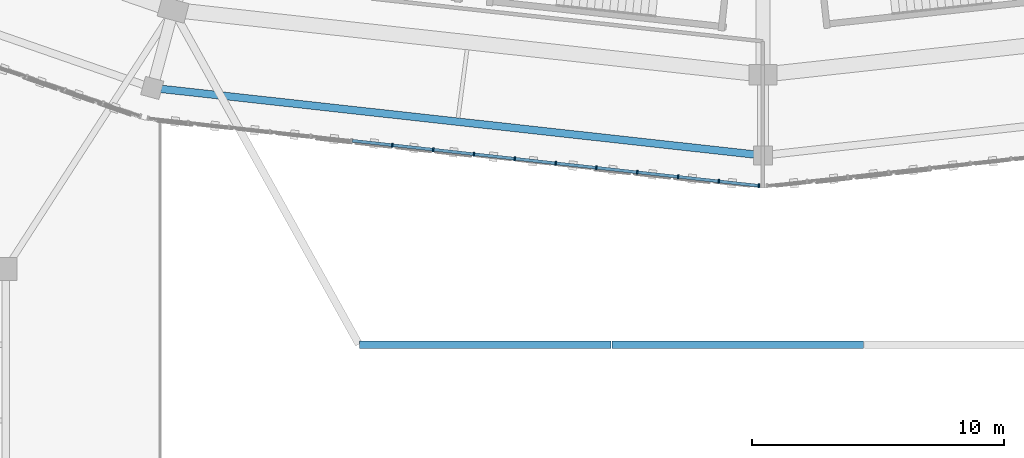
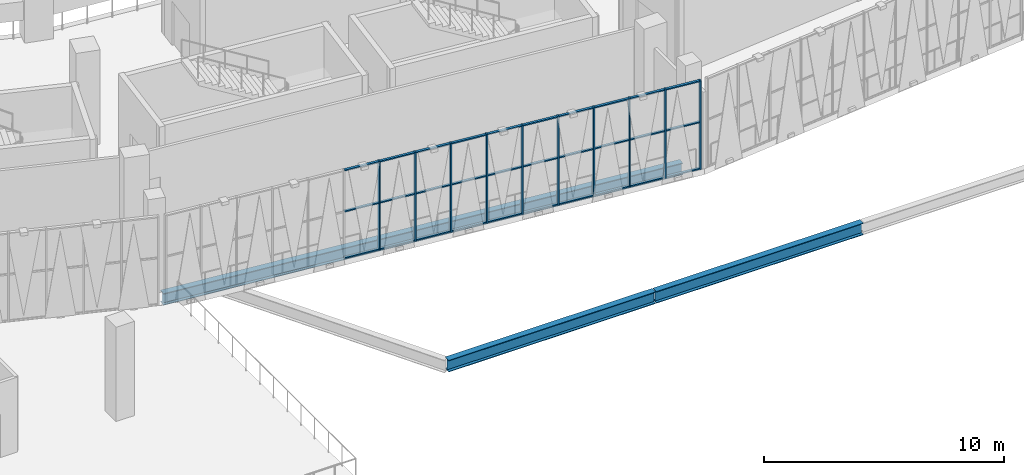
# One storey, part 16 of 183: 40 members, 3 beams, 1 element without a shape of its own.
"""IFC4 building model written with IfcOpenShell, lengths in metres."""

import ifcopenshell
import ifcopenshell.guid

model = None  # the IFC model being written
_history = None  # IfcOwnerHistory: only IFC2X3 demands one
_inside = {}  # id of a spatial element -> (the spatial element, [elements in it])
_under = {}  # id of a project, library or spatial element -> (it, [spatial elements below it])
_declared = {}  # id of a project -> (the project, [libraries it declares])
_typed = {}  # id of a type object -> (the type object, [elements of that type])
_made_of = {}  # id of a material, layer set ... -> (it, [elements and type objects made of it])


def new_model(schema):
    """Start an empty IFC model of exactly this schema.

    Asked for "IFC4X3", IfcOpenShell would pick the latest addendum, in which some entities
    have other attributes; the version numbers below select the first issue.
    IFC2X3 requires an IfcOwnerHistory on every rooted entity: one is made here for all.
    """
    global model, _history
    if schema == "IFC4X3":
        model = ifcopenshell.file(schema_version=(4, 3, 0, 0))
    else:
        model = ifcopenshell.file(schema=schema)
    _inside.clear()
    _under.clear()
    _declared.clear()
    _typed.clear()
    _made_of.clear()
    _history = None
    if model.schema == "IFC2X3":
        org = make("IfcOrganization", Name="unknown")
        user = make(
            "IfcPersonAndOrganization",
            ThePerson=make("IfcPerson", FamilyName="unknown"),
            TheOrganization=org,
        )
        app = make(
            "IfcApplication",
            ApplicationDeveloper=org,
            Version="unknown",
            ApplicationFullName="unknown",
            ApplicationIdentifier="unknown",
        )
        _history = make(
            "IfcOwnerHistory",
            OwningUser=user,
            OwningApplication=app,
            ChangeAction="ADDED",
            CreationDate=0,
        )
    return model


def make(cls, **values):
    """One entity of the class cls with the attributes given. An attribute that is None is left unset."""
    return model.create_entity(
        cls, **{name: value for name, value in values.items() if value is not None}
    )


def rooted(cls, **values):
    """An entity with a GlobalId (a new one), such as an element, a storey or a relation."""
    return make(cls, GlobalId=ifcopenshell.guid.new(), OwnerHistory=_history, **values)


def si_unit(unit_type, name, prefix=None):
    """IfcSIUnit, for example si_unit("LENGTHUNIT", "METRE", prefix="MILLI")."""
    return make("IfcSIUnit", UnitType=unit_type, Prefix=prefix, Name=name)


def assignment(units):
    """IfcUnitAssignment: the units of a project."""
    return None if units is None else make("IfcUnitAssignment", Units=units)


def point(xyz):
    """IfcCartesianPoint."""
    return None if xyz is None else make("IfcCartesianPoint", Coordinates=xyz)


def direction(xyz):
    """IfcDirection."""
    return None if xyz is None else make("IfcDirection", DirectionRatios=xyz)


def frame(location, z_axis=None, x_axis=None):
    """IfcAxis2Placement3D, a coordinate frame: its origin and axes. An axis left out is left unset."""
    return make(
        "IfcAxis2Placement3D",
        Location=point(location),
        Axis=direction(z_axis),
        RefDirection=direction(x_axis),
    )


def frame_2d(location, x_axis=None):
    """IfcAxis2Placement2D, a coordinate frame in the plane: its origin and x axis."""
    return make(
        "IfcAxis2Placement2D", Location=point(location), RefDirection=direction(x_axis)
    )


def origin():
    """The frame at (0, 0, 0) with its axes left unset."""
    return frame((0.0, 0.0, 0.0))


def origin_2d():
    """The frame at (0, 0) in the plane with its x axis left unset."""
    return frame_2d((0.0, 0.0))


def place(relative_to, where):
    """IfcLocalPlacement: puts the frame where relative to a parent placement (None: the world)."""
    return make(
        "IfcLocalPlacement", PlacementRelTo=relative_to, RelativePlacement=where
    )


def context(
    kind, dimensions, precision=None, world=None, true_north=None, identifier=None
):
    """IfcGeometricRepresentationContext, for example the 3D "Model" context."""
    return make(
        "IfcGeometricRepresentationContext",
        ContextIdentifier=identifier,
        ContextType=kind,
        CoordinateSpaceDimension=dimensions,
        Precision=precision,
        WorldCoordinateSystem=world,
        TrueNorth=true_north,
    )


def subcontext(parent, identifier, kind, view, scale=None):
    """IfcGeometricRepresentationSubContext, for example "Body" below "Model"."""
    return make(
        "IfcGeometricRepresentationSubContext",
        ContextIdentifier=identifier,
        ContextType=kind,
        ParentContext=parent,
        TargetScale=scale,
        TargetView=view,
    )


def project(units=None, contexts=None):
    """IfcProject with its units and contexts."""
    return rooted(
        "IfcProject",
        Name="project",
        RepresentationContexts=contexts,
        UnitsInContext=assignment(units),
    )


def spatial(cls, under=None, at=None, **own):
    """A site, building, storey or space (cls), placed at a placement, below another one or the project."""
    s = rooted(cls, ObjectPlacement=at, **own)
    if under is not None:
        _under.setdefault(under.id(), (under, []))[1].append(s)
    return s


def profile(cls, at=None, kind="AREA", **sizes):
    """A parametric profile (cls). Its sizes go by their IFC names, for example OverallWidth=200.0."""
    return make(cls, ProfileType=kind, Position=at, **sizes)


def rectangle(**sizes):
    """IfcRectangleProfileDef."""
    return profile("IfcRectangleProfileDef", **sizes)


def i_section(**sizes):
    """IfcIShapeProfileDef."""
    return profile("IfcIShapeProfileDef", **sizes)


def extrude(swept, where, along, depth):
    """IfcExtrudedAreaSolid: the profile swept, set in the frame where, extruded along a direction by depth."""
    return make(
        "IfcExtrudedAreaSolid",
        SweptArea=swept,
        Position=where,
        ExtrudedDirection=direction(along),
        Depth=depth,
    )


def shape(context_of_items, identifier, shape_type, items):
    """IfcShapeRepresentation: the items that make up one representation, for example the "Body"."""
    return make(
        "IfcShapeRepresentation",
        ContextOfItems=context_of_items,
        RepresentationIdentifier=identifier,
        RepresentationType=shape_type,
        Items=items,
    )


def material(Name=None, Category=None):
    """IfcMaterial."""
    return make("IfcMaterial", Name=Name, Category=Category)


def material_profile(
    of_material, cross_section, Name=None, Category=None, Priority=None
):
    """IfcMaterialProfile: a cross section and its material."""
    return make(
        "IfcMaterialProfile",
        Name=Name,
        Material=of_material,
        Profile=cross_section,
        Priority=Priority,
        Category=Category,
    )


def profile_set(profiles, Name=None, composite=None):
    """IfcMaterialProfileSet."""
    return make(
        "IfcMaterialProfileSet",
        Name=Name,
        MaterialProfiles=profiles,
        CompositeProfile=composite,
    )


def made_of(thing, what):
    """Note that an element or type object is made of a material, layer set ...; save() writes the relation."""
    if what is not None:
        _made_of.setdefault(what.id(), (what, []))[1].append(thing)
    return thing


def type_object(cls, material=None, **own):
    """A type object (cls), such as IfcWallType, which elements share."""
    return made_of(rooted(cls, **own), material)


def element(
    cls,
    number,
    at=None,
    inside=None,
    cuts=None,
    type_object=None,
    material=None,
    context=None,
    identifier="Body",
    shape_type=None,
    held_by="IfcProductDefinitionShape",
    body=None,
    shapes=None,
    **own,
):
    """One element of the class cls, such as IfcWall. Its Tag is "e" and its number.

    at: its placement. inside: the storey or other place that contains it. cuts: it is an
    opening in that element (IfcRelVoidsElement). A single representation is given by context,
    identifier, shape_type and body (its items); several are given by shapes. held_by: the class
    of the entity that holds the representations. save() writes the other relations.
    """
    e = rooted(cls, Tag="e%d" % number, ObjectPlacement=at, **own)
    if body is not None:
        shapes = [shape(context, identifier, shape_type, body)]
    if shapes is not None:
        e.Representation = make(held_by, Representations=shapes)
    if inside is not None:
        _inside.setdefault(inside.id(), (inside, []))[1].append(e)
    if cuts is not None:
        rooted(
            "IfcRelVoidsElement", RelatingBuildingElement=cuts, RelatedOpeningElement=e
        )
    if type_object is not None:
        _typed.setdefault(type_object.id(), (type_object, []))[1].append(e)
    return made_of(e, material)


def aggregate(whole, parts):
    """IfcRelAggregates: a whole, such as a stair, and the parts it consists of."""
    return rooted("IfcRelAggregates", RelatingObject=whole, RelatedObjects=parts)


def save(model, path):
    """Write the relations noted so far, then the file.

    IfcRelAggregates (storeys below a building ...), IfcRelContainedInSpatialStructure (elements
    in a storey), IfcRelDefinesByType, IfcRelAssociatesMaterial and IfcRelDeclares: one each for
    every whole, place, type object, material and project.
    """
    for whole, parts in _under.values():
        aggregate(whole, parts)
    for where, things in _inside.values():
        rooted(
            "IfcRelContainedInSpatialStructure",
            RelatedElements=things,
            RelatingStructure=where,
        )
    for kind, things in _typed.values():
        rooted("IfcRelDefinesByType", RelatedObjects=things, RelatingType=kind)
    for what, things in _made_of.values():
        rooted("IfcRelAssociatesMaterial", RelatedObjects=things, RelatingMaterial=what)
    for by, libraries in _declared.values():
        rooted("IfcRelDeclares", RelatingContext=by, RelatedDefinitions=libraries)
    model.write(path)


model = new_model("IFC4")

# Units and contexts
model_context = context("Model", 3, precision=1e-05, world=origin(), true_north=direction((0.0, 1.0)))
body_context = subcontext(model_context, "Body", "Model", "MODEL_VIEW")
ifc_project = project(units=[si_unit("LENGTHUNIT", "METRE"), si_unit("AREAUNIT", "SQUARE_METRE"), si_unit("VOLUMEUNIT", "CUBIC_METRE"), si_unit("PLANEANGLEUNIT", "RADIAN"), si_unit("MASSUNIT", "GRAM", prefix="KILO")], contexts=[model_context])

# Site, building, storey
site_placement = place(None, origin())
site = spatial("IfcSite", under=ifc_project, at=site_placement, CompositionType="ELEMENT")
building_placement = place(site_placement, origin())
building = spatial("IfcBuilding", under=site, at=building_placement, Name="Zevraka Park Crest Stadium", CompositionType="ELEMENT")
storey_placement = place(building_placement, frame((0.0, 0.0, 5.39990234375)))
storey = spatial("IfcBuildingStorey", under=building, at=storey_placement, Name="L01", CompositionType="ELEMENT", Elevation=5.39990234375)

# Curtain wall, members
ifc_material_1 = material(Name="Anodised architectural aluminium and laminated safety glass", Category="aluminium")
curtain_wall_type = type_object("IfcCurtainWallType", Name="CW01", PredefinedType="NOTDEFINED", material=ifc_material_1)
curtain_wall_placement = place(storey_placement, origin())
curtain_wall = element("IfcCurtainWall", 1, at=curtain_wall_placement, inside=storey, type_object=curtain_wall_type, Name="Unitised Ring Curtain Wall CW01 L01-17", PredefinedType="NOTDEFINED")
ifc_material_2 = material(Name="Anodised architectural aluminium", Category="aluminium")
ifc_material_profile_1 = material_profile(ifc_material_2, rectangle(XDim=0.159912109375, YDim=0.06005859375, at=origin_2d()), Name="ALU MULLION 160x60")
ifc_profile_set_1 = profile_set([ifc_material_profile_1], Name="Anodised architectural aluminium")
member_type_1 = type_object("IfcMemberType", Name="CM01", PredefinedType="MULLION", material=ifc_profile_set_1)
member_1_placement = place(storey_placement, frame((97.315185546875, 13.90771484375, 0.0), z_axis=(0.0, 0.0, 1.0), x_axis=(0.110134718639, 0.993916668414, 0.0)))
member_1 = element("IfcMember", 2, at=member_1_placement, type_object=member_type_1, Name="CW01 mullion 7", PredefinedType="MULLION", context=body_context, shape_type="SweptSolid", body=[
    extrude(rectangle(XDim=0.159912109375, YDim=0.06005859375, at=origin_2d()), origin(), (0.0, 0.0, 1.0), 4.52001953125),
])
member_2_placement = place(storey_placement, frame((98.932373046875, 13.728515625, 0.0), z_axis=(0.0, 0.0, 1.0), x_axis=(0.110134718639, 0.993916668414, 0.0)))
member_2 = element("IfcMember", 3, at=member_2_placement, type_object=member_type_1, Name="CW01 mullion 8", PredefinedType="MULLION", context=body_context, shape_type="SweptSolid", body=[
    extrude(rectangle(XDim=0.159912109375, YDim=0.06005859375, at=origin_2d()), origin(), (0.0, 0.0, 1.0), 4.52001953125),
])
member_3_placement = place(storey_placement, frame((100.549560546875, 13.54931640625, 0.0), z_axis=(0.0, 0.0, 1.0), x_axis=(0.110134718639, 0.993916668414, 0.0)))
member_3 = element("IfcMember", 4, at=member_3_placement, type_object=member_type_1, Name="CW01 mullion 9", PredefinedType="MULLION", context=body_context, shape_type="SweptSolid", body=[
    extrude(rectangle(XDim=0.159912109375, YDim=0.06005859375, at=origin_2d()), origin(), (0.0, 0.0, 1.0), 4.52001953125),
])
member_4_placement = place(storey_placement, frame((102.166748046875, 13.3701171875, 0.0), z_axis=(0.0, 0.0, 1.0), x_axis=(0.110134718639, 0.993916668414, 0.0)))
member_4 = element("IfcMember", 5, at=member_4_placement, type_object=member_type_1, Name="CW01 mullion 10", PredefinedType="MULLION", context=body_context, shape_type="SweptSolid", body=[
    extrude(rectangle(XDim=0.159912109375, YDim=0.06005859375, at=origin_2d()), origin(), (0.0, 0.0, 1.0), 4.52001953125),
])
member_5_placement = place(storey_placement, frame((103.783935546875, 13.19091796875, 0.0), z_axis=(0.0, 0.0, 1.0), x_axis=(0.110134718639, 0.993916668414, 0.0)))
member_5 = element("IfcMember", 6, at=member_5_placement, type_object=member_type_1, Name="CW01 mullion 11", PredefinedType="MULLION", context=body_context, shape_type="SweptSolid", body=[
    extrude(rectangle(XDim=0.159912109375, YDim=0.06005859375, at=origin_2d()), origin(), (0.0, 0.0, 1.0), 4.52001953125),
])
member_6_placement = place(storey_placement, frame((105.401123046875, 13.01171875, 0.0), z_axis=(0.0, 0.0, 1.0), x_axis=(0.110134718639, 0.993916668414, 0.0)))
member_6 = element("IfcMember", 7, at=member_6_placement, type_object=member_type_1, Name="CW01 mullion 12", PredefinedType="MULLION", context=body_context, shape_type="SweptSolid", body=[
    extrude(rectangle(XDim=0.159912109375, YDim=0.06005859375, at=origin_2d()), origin(), (0.0, 0.0, 1.0), 4.52001953125),
])
member_7_placement = place(storey_placement, frame((107.018310546875, 12.83251953125, 0.0), z_axis=(0.0, 0.0, 1.0), x_axis=(0.110134718639, 0.993916668414, 0.0)))
member_7 = element("IfcMember", 8, at=member_7_placement, type_object=member_type_1, Name="CW01 mullion 13", PredefinedType="MULLION", context=body_context, shape_type="SweptSolid", body=[
    extrude(rectangle(XDim=0.159912109375, YDim=0.06005859375, at=origin_2d()), origin(), (0.0, 0.0, 1.0), 4.52001953125),
])
member_8_placement = place(storey_placement, frame((108.635498046875, 12.6533203125, 0.0), z_axis=(0.0, 0.0, 1.0), x_axis=(0.110134718639, 0.993916668414, 0.0)))
member_8 = element("IfcMember", 9, at=member_8_placement, type_object=member_type_1, Name="CW01 mullion 14", PredefinedType="MULLION", context=body_context, shape_type="SweptSolid", body=[
    extrude(rectangle(XDim=0.159912109375, YDim=0.06005859375, at=origin_2d()), origin(), (0.0, 0.0, 1.0), 4.52001953125),
])
member_9_placement = place(storey_placement, frame((110.252685546875, 12.47412109375, 0.0), z_axis=(0.0, 0.0, 1.0), x_axis=(0.110134718639, 0.993916668414, 0.0)))
member_9 = element("IfcMember", 10, at=member_9_placement, type_object=member_type_1, Name="CW01 mullion 15", PredefinedType="MULLION", context=body_context, shape_type="SweptSolid", body=[
    extrude(rectangle(XDim=0.159912109375, YDim=0.06005859375, at=origin_2d()), origin(), (0.0, 0.0, 1.0), 4.52001953125),
])
member_10_placement = place(storey_placement, frame((111.840087890625, 12.29833984375, 0.0), z_axis=(0.0, 0.0, 1.0), x_axis=(0.110134718639, 0.993916668414, 0.0)))
member_10 = element("IfcMember", 11, at=member_10_placement, type_object=member_type_1, Name="CW01 mullion 16", PredefinedType="MULLION", context=body_context, shape_type="SweptSolid", body=[
    extrude(rectangle(XDim=0.159912109375, YDim=0.06005859375, at=origin_2d()), origin(), (0.0, 0.0, 1.0), 4.52001953125),
])
ifc_material_3 = material(Name="Anodised architectural aluminium", Category="aluminium")
ifc_material_profile_2 = material_profile(ifc_material_3, rectangle(XDim=0.1201171875, YDim=0.06005859375, at=origin_2d()), Name="ALU TRANSOM 120x60")
ifc_profile_set_2 = profile_set([ifc_material_profile_2], Name="Anodised architectural aluminium")
member_type_2 = type_object("IfcMemberType", Name="CT01", PredefinedType="USERDEFINED", material=ifc_profile_set_2)
member_11_placement = place(storey_placement, frame((95.727783203125, 14.083740234375, 0.030029296875), z_axis=(0.993915989308, -0.110140847091, 0.0), x_axis=(0.110140847091, 0.993915989308, 0.0)))
member_11 = element("IfcMember", 12, at=member_11_placement, type_object=member_type_2, Name="CW01 transom 6.1", ObjectType="TRANSOM", PredefinedType="USERDEFINED", context=body_context, shape_type="SweptSolid", body=[
    extrude(rectangle(XDim=0.1201171875, YDim=0.06005859375, at=origin_2d()), origin(), (0.0, 0.0, 1.0), 1.567138671875),
])
member_12_placement = place(storey_placement, frame((95.727783203125, 14.083740234375, 2.400146484375), z_axis=(0.993915989308, -0.110140847091, 0.0), x_axis=(0.110140847091, 0.993915989308, 0.0)))
member_12 = element("IfcMember", 13, at=member_12_placement, type_object=member_type_2, Name="CW01 transom 6.2", ObjectType="TRANSOM", PredefinedType="USERDEFINED", context=body_context, shape_type="SweptSolid", body=[
    extrude(rectangle(XDim=0.1201171875, YDim=0.06005859375, at=origin_2d()), origin(), (0.0, 0.0, 1.0), 1.567138671875),
])
member_13_placement = place(storey_placement, frame((95.727783203125, 14.083740234375, 4.489990234375), z_axis=(0.993915989308, -0.110140847091, 0.0), x_axis=(0.110140847091, 0.993915989308, 0.0)))
member_13 = element("IfcMember", 14, at=member_13_placement, type_object=member_type_2, Name="CW01 transom 6.3", ObjectType="TRANSOM", PredefinedType="USERDEFINED", context=body_context, shape_type="SweptSolid", body=[
    extrude(rectangle(XDim=0.1201171875, YDim=0.06005859375, at=origin_2d()), origin(), (0.0, 0.0, 1.0), 1.567138671875),
])
member_14_placement = place(storey_placement, frame((97.344970703125, 13.904541015625, 0.030029296875), z_axis=(0.993915989308, -0.110140847091, 0.0), x_axis=(0.110140847091, 0.993915989308, 0.0)))
member_14 = element("IfcMember", 15, at=member_14_placement, type_object=member_type_2, Name="CW01 transom 7.1", ObjectType="TRANSOM", PredefinedType="USERDEFINED", context=body_context, shape_type="SweptSolid", body=[
    extrude(rectangle(XDim=0.1201171875, YDim=0.06005859375, at=origin_2d()), origin(), (0.0, 0.0, 1.0), 1.567138671875),
])
member_15_placement = place(storey_placement, frame((97.344970703125, 13.904541015625, 2.400146484375), z_axis=(0.993915989308, -0.110140847091, 0.0), x_axis=(0.110140847091, 0.993915989308, 0.0)))
member_15 = element("IfcMember", 16, at=member_15_placement, type_object=member_type_2, Name="CW01 transom 7.2", ObjectType="TRANSOM", PredefinedType="USERDEFINED", context=body_context, shape_type="SweptSolid", body=[
    extrude(rectangle(XDim=0.1201171875, YDim=0.06005859375, at=origin_2d()), origin(), (0.0, 0.0, 1.0), 1.567138671875),
])
member_16_placement = place(storey_placement, frame((97.344970703125, 13.904541015625, 4.489990234375), z_axis=(0.993915989308, -0.110140847091, 0.0), x_axis=(0.110140847091, 0.993915989308, 0.0)))
member_16 = element("IfcMember", 17, at=member_16_placement, type_object=member_type_2, Name="CW01 transom 7.3", ObjectType="TRANSOM", PredefinedType="USERDEFINED", context=body_context, shape_type="SweptSolid", body=[
    extrude(rectangle(XDim=0.1201171875, YDim=0.06005859375, at=origin_2d()), origin(), (0.0, 0.0, 1.0), 1.567138671875),
])
member_17_placement = place(storey_placement, frame((98.962158203125, 13.725341796875, 0.030029296875), z_axis=(0.993915989308, -0.110140847091, 0.0), x_axis=(0.110140847091, 0.993915989308, 0.0)))
member_17 = element("IfcMember", 18, at=member_17_placement, type_object=member_type_2, Name="CW01 transom 8.1", ObjectType="TRANSOM", PredefinedType="USERDEFINED", context=body_context, shape_type="SweptSolid", body=[
    extrude(rectangle(XDim=0.1201171875, YDim=0.06005859375, at=origin_2d()), origin(), (0.0, 0.0, 1.0), 1.567138671875),
])
member_18_placement = place(storey_placement, frame((98.962158203125, 13.725341796875, 2.400146484375), z_axis=(0.993915989308, -0.110140847091, 0.0), x_axis=(0.110140847091, 0.993915989308, 0.0)))
member_18 = element("IfcMember", 19, at=member_18_placement, type_object=member_type_2, Name="CW01 transom 8.2", ObjectType="TRANSOM", PredefinedType="USERDEFINED", context=body_context, shape_type="SweptSolid", body=[
    extrude(rectangle(XDim=0.1201171875, YDim=0.06005859375, at=origin_2d()), origin(), (0.0, 0.0, 1.0), 1.567138671875),
])
member_19_placement = place(storey_placement, frame((98.962158203125, 13.725341796875, 4.489990234375), z_axis=(0.993915989308, -0.110140847091, 0.0), x_axis=(0.110140847091, 0.993915989308, 0.0)))
member_19 = element("IfcMember", 20, at=member_19_placement, type_object=member_type_2, Name="CW01 transom 8.3", ObjectType="TRANSOM", PredefinedType="USERDEFINED", context=body_context, shape_type="SweptSolid", body=[
    extrude(rectangle(XDim=0.1201171875, YDim=0.06005859375, at=origin_2d()), origin(), (0.0, 0.0, 1.0), 1.567138671875),
])
member_20_placement = place(storey_placement, frame((100.579345703125, 13.546142578125, 0.030029296875), z_axis=(0.993915989308, -0.110140847091, 0.0), x_axis=(0.110140847091, 0.993915989308, 0.0)))
member_20 = element("IfcMember", 21, at=member_20_placement, type_object=member_type_2, Name="CW01 transom 9.1", ObjectType="TRANSOM", PredefinedType="USERDEFINED", context=body_context, shape_type="SweptSolid", body=[
    extrude(rectangle(XDim=0.1201171875, YDim=0.06005859375, at=origin_2d()), origin(), (0.0, 0.0, 1.0), 1.567138671875),
])
member_21_placement = place(storey_placement, frame((100.579345703125, 13.546142578125, 2.400146484375), z_axis=(0.993915989308, -0.110140847091, 0.0), x_axis=(0.110140847091, 0.993915989308, 0.0)))
member_21 = element("IfcMember", 22, at=member_21_placement, type_object=member_type_2, Name="CW01 transom 9.2", ObjectType="TRANSOM", PredefinedType="USERDEFINED", context=body_context, shape_type="SweptSolid", body=[
    extrude(rectangle(XDim=0.1201171875, YDim=0.06005859375, at=origin_2d()), origin(), (0.0, 0.0, 1.0), 1.567138671875),
])
member_22_placement = place(storey_placement, frame((100.579345703125, 13.546142578125, 4.489990234375), z_axis=(0.993915989308, -0.110140847091, 0.0), x_axis=(0.110140847091, 0.993915989308, 0.0)))
member_22 = element("IfcMember", 23, at=member_22_placement, type_object=member_type_2, Name="CW01 transom 9.3", ObjectType="TRANSOM", PredefinedType="USERDEFINED", context=body_context, shape_type="SweptSolid", body=[
    extrude(rectangle(XDim=0.1201171875, YDim=0.06005859375, at=origin_2d()), origin(), (0.0, 0.0, 1.0), 1.567138671875),
])
member_23_placement = place(storey_placement, frame((102.196533203125, 13.366943359375, 0.030029296875), z_axis=(0.993915989308, -0.110140847091, 0.0), x_axis=(0.110140847091, 0.993915989308, 0.0)))
member_23 = element("IfcMember", 24, at=member_23_placement, type_object=member_type_2, Name="CW01 transom 10.1", ObjectType="TRANSOM", PredefinedType="USERDEFINED", context=body_context, shape_type="SweptSolid", body=[
    extrude(rectangle(XDim=0.1201171875, YDim=0.06005859375, at=origin_2d()), origin(), (0.0, 0.0, 1.0), 1.567138671875),
])
member_24_placement = place(storey_placement, frame((102.196533203125, 13.366943359375, 2.400146484375), z_axis=(0.993915989308, -0.110140847091, 0.0), x_axis=(0.110140847091, 0.993915989308, 0.0)))
member_24 = element("IfcMember", 25, at=member_24_placement, type_object=member_type_2, Name="CW01 transom 10.2", ObjectType="TRANSOM", PredefinedType="USERDEFINED", context=body_context, shape_type="SweptSolid", body=[
    extrude(rectangle(XDim=0.1201171875, YDim=0.06005859375, at=origin_2d()), origin(), (0.0, 0.0, 1.0), 1.567138671875),
])
member_25_placement = place(storey_placement, frame((102.196533203125, 13.366943359375, 4.489990234375), z_axis=(0.993915989308, -0.110140847091, 0.0), x_axis=(0.110140847091, 0.993915989308, 0.0)))
member_25 = element("IfcMember", 26, at=member_25_placement, type_object=member_type_2, Name="CW01 transom 10.3", ObjectType="TRANSOM", PredefinedType="USERDEFINED", context=body_context, shape_type="SweptSolid", body=[
    extrude(rectangle(XDim=0.1201171875, YDim=0.06005859375, at=origin_2d()), origin(), (0.0, 0.0, 1.0), 1.567138671875),
])
member_26_placement = place(storey_placement, frame((103.813720703125, 13.187744140625, 0.030029296875), z_axis=(0.993915989308, -0.110140847091, 0.0), x_axis=(0.110140847091, 0.993915989308, 0.0)))
member_26 = element("IfcMember", 27, at=member_26_placement, type_object=member_type_2, Name="CW01 transom 11.1", ObjectType="TRANSOM", PredefinedType="USERDEFINED", context=body_context, shape_type="SweptSolid", body=[
    extrude(rectangle(XDim=0.1201171875, YDim=0.06005859375, at=origin_2d()), origin(), (0.0, 0.0, 1.0), 1.567138671875),
])
member_27_placement = place(storey_placement, frame((103.813720703125, 13.187744140625, 2.400146484375), z_axis=(0.993915989308, -0.110140847091, 0.0), x_axis=(0.110140847091, 0.993915989308, 0.0)))
member_27 = element("IfcMember", 28, at=member_27_placement, type_object=member_type_2, Name="CW01 transom 11.2", ObjectType="TRANSOM", PredefinedType="USERDEFINED", context=body_context, shape_type="SweptSolid", body=[
    extrude(rectangle(XDim=0.1201171875, YDim=0.06005859375, at=origin_2d()), origin(), (0.0, 0.0, 1.0), 1.567138671875),
])
member_28_placement = place(storey_placement, frame((103.813720703125, 13.187744140625, 4.489990234375), z_axis=(0.993915989308, -0.110140847091, 0.0), x_axis=(0.110140847091, 0.993915989308, 0.0)))
member_28 = element("IfcMember", 29, at=member_28_placement, type_object=member_type_2, Name="CW01 transom 11.3", ObjectType="TRANSOM", PredefinedType="USERDEFINED", context=body_context, shape_type="SweptSolid", body=[
    extrude(rectangle(XDim=0.1201171875, YDim=0.06005859375, at=origin_2d()), origin(), (0.0, 0.0, 1.0), 1.567138671875),
])
member_29_placement = place(storey_placement, frame((105.430908203125, 13.008544921875, 0.030029296875), z_axis=(0.993915989308, -0.110140847091, 0.0), x_axis=(0.110140847091, 0.993915989308, 0.0)))
member_29 = element("IfcMember", 30, at=member_29_placement, type_object=member_type_2, Name="CW01 transom 12.1", ObjectType="TRANSOM", PredefinedType="USERDEFINED", context=body_context, shape_type="SweptSolid", body=[
    extrude(rectangle(XDim=0.1201171875, YDim=0.06005859375, at=origin_2d()), origin(), (0.0, 0.0, 1.0), 1.567138671875),
])
member_30_placement = place(storey_placement, frame((105.430908203125, 13.008544921875, 2.400146484375), z_axis=(0.993915989308, -0.110140847091, 0.0), x_axis=(0.110140847091, 0.993915989308, 0.0)))
member_30 = element("IfcMember", 31, at=member_30_placement, type_object=member_type_2, Name="CW01 transom 12.2", ObjectType="TRANSOM", PredefinedType="USERDEFINED", context=body_context, shape_type="SweptSolid", body=[
    extrude(rectangle(XDim=0.1201171875, YDim=0.06005859375, at=origin_2d()), origin(), (0.0, 0.0, 1.0), 1.567138671875),
])
member_31_placement = place(storey_placement, frame((105.430908203125, 13.008544921875, 4.489990234375), z_axis=(0.993915989308, -0.110140847091, 0.0), x_axis=(0.110140847091, 0.993915989308, 0.0)))
member_31 = element("IfcMember", 32, at=member_31_placement, type_object=member_type_2, Name="CW01 transom 12.3", ObjectType="TRANSOM", PredefinedType="USERDEFINED", context=body_context, shape_type="SweptSolid", body=[
    extrude(rectangle(XDim=0.1201171875, YDim=0.06005859375, at=origin_2d()), origin(), (0.0, 0.0, 1.0), 1.567138671875),
])
member_32_placement = place(storey_placement, frame((107.048095703125, 12.829345703125, 0.030029296875), z_axis=(0.993915989308, -0.110140847091, 0.0), x_axis=(0.110140847091, 0.993915989308, 0.0)))
member_32 = element("IfcMember", 33, at=member_32_placement, type_object=member_type_2, Name="CW01 transom 13.1", ObjectType="TRANSOM", PredefinedType="USERDEFINED", context=body_context, shape_type="SweptSolid", body=[
    extrude(rectangle(XDim=0.1201171875, YDim=0.06005859375, at=origin_2d()), origin(), (0.0, 0.0, 1.0), 1.567138671875),
])
member_33_placement = place(storey_placement, frame((107.048095703125, 12.829345703125, 2.400146484375), z_axis=(0.993915989308, -0.110140847091, 0.0), x_axis=(0.110140847091, 0.993915989308, 0.0)))
member_33 = element("IfcMember", 34, at=member_33_placement, type_object=member_type_2, Name="CW01 transom 13.2", ObjectType="TRANSOM", PredefinedType="USERDEFINED", context=body_context, shape_type="SweptSolid", body=[
    extrude(rectangle(XDim=0.1201171875, YDim=0.06005859375, at=origin_2d()), origin(), (0.0, 0.0, 1.0), 1.567138671875),
])
member_34_placement = place(storey_placement, frame((107.048095703125, 12.829345703125, 4.489990234375), z_axis=(0.993915989308, -0.110140847091, 0.0), x_axis=(0.110140847091, 0.993915989308, 0.0)))
member_34 = element("IfcMember", 35, at=member_34_placement, type_object=member_type_2, Name="CW01 transom 13.3", ObjectType="TRANSOM", PredefinedType="USERDEFINED", context=body_context, shape_type="SweptSolid", body=[
    extrude(rectangle(XDim=0.1201171875, YDim=0.06005859375, at=origin_2d()), origin(), (0.0, 0.0, 1.0), 1.567138671875),
])
member_35_placement = place(storey_placement, frame((108.66552734375, 12.650146484375, 0.030029296875), z_axis=(0.993914099026, -0.110157903748, 0.0), x_axis=(0.110157903748, 0.993914099026, 0.0)))
member_35 = element("IfcMember", 36, at=member_35_placement, type_object=member_type_2, Name="CW01 transom 14.1", ObjectType="TRANSOM", PredefinedType="USERDEFINED", context=body_context, shape_type="SweptSolid", body=[
    extrude(rectangle(XDim=0.1201171875, YDim=0.06005859375, at=origin_2d()), origin(), (0.0, 0.0, 1.0), 1.56689453125),
])
member_36_placement = place(storey_placement, frame((108.66552734375, 12.650146484375, 2.400146484375), z_axis=(0.993914099026, -0.110157903748, 0.0), x_axis=(0.110157903748, 0.993914099026, 0.0)))
member_36 = element("IfcMember", 37, at=member_36_placement, type_object=member_type_2, Name="CW01 transom 14.2", ObjectType="TRANSOM", PredefinedType="USERDEFINED", context=body_context, shape_type="SweptSolid", body=[
    extrude(rectangle(XDim=0.1201171875, YDim=0.06005859375, at=origin_2d()), origin(), (0.0, 0.0, 1.0), 1.56689453125),
])
member_37_placement = place(storey_placement, frame((108.66552734375, 12.650146484375, 4.489990234375), z_axis=(0.993914099026, -0.110157903748, 0.0), x_axis=(0.110157903748, 0.993914099026, 0.0)))
member_37 = element("IfcMember", 38, at=member_37_placement, type_object=member_type_2, Name="CW01 transom 14.3", ObjectType="TRANSOM", PredefinedType="USERDEFINED", context=body_context, shape_type="SweptSolid", body=[
    extrude(rectangle(XDim=0.1201171875, YDim=0.06005859375, at=origin_2d()), origin(), (0.0, 0.0, 1.0), 1.56689453125),
])
member_38_placement = place(storey_placement, frame((110.28271484375, 12.470947265625, 0.030029296875), z_axis=(0.993905024901, -0.11023974545, 0.0), x_axis=(0.11023974545, 0.993905024901, 0.0)))
member_38 = element("IfcMember", 39, at=member_38_placement, type_object=member_type_2, Name="CW01 transom 15.1", ObjectType="TRANSOM", PredefinedType="USERDEFINED", context=body_context, shape_type="SweptSolid", body=[
    extrude(rectangle(XDim=0.1201171875, YDim=0.06005859375, at=origin_2d()), origin(), (0.0, 0.0, 1.0), 1.536865234375),
])
member_39_placement = place(storey_placement, frame((110.28271484375, 12.470947265625, 2.400146484375), z_axis=(0.993905024901, -0.11023974545, 0.0), x_axis=(0.11023974545, 0.993905024901, 0.0)))
member_39 = element("IfcMember", 40, at=member_39_placement, type_object=member_type_2, Name="CW01 transom 15.2", ObjectType="TRANSOM", PredefinedType="USERDEFINED", context=body_context, shape_type="SweptSolid", body=[
    extrude(rectangle(XDim=0.1201171875, YDim=0.06005859375, at=origin_2d()), origin(), (0.0, 0.0, 1.0), 1.536865234375),
])
member_40_placement = place(storey_placement, frame((110.28271484375, 12.470947265625, 4.489990234375), z_axis=(0.993905024901, -0.11023974545, 0.0), x_axis=(0.11023974545, 0.993905024901, 0.0)))
member_40 = element("IfcMember", 41, at=member_40_placement, type_object=member_type_2, Name="CW01 transom 15.3", ObjectType="TRANSOM", PredefinedType="USERDEFINED", context=body_context, shape_type="SweptSolid", body=[
    extrude(rectangle(XDim=0.1201171875, YDim=0.06005859375, at=origin_2d()), origin(), (0.0, 0.0, 1.0), 1.536865234375),
])
aggregate(curtain_wall, [member_1, member_2, member_3, member_4, member_5, member_6, member_7, member_8, member_9, member_10, member_11, member_12, member_13, member_14, member_15, member_16, member_17, member_18, member_19, member_20, member_21, member_22, member_23, member_24, member_25, member_26, member_27, member_28, member_29, member_30, member_31, member_32, member_33, member_34, member_35, member_36, member_37, member_38, member_39, member_40])

# Beams
ifc_material_4 = material(Name="Steel S355", Category="steel")
ifc_material_profile_3 = material_profile(ifc_material_4, i_section(OverallWidth=0.300048828125, OverallDepth=0.60009765625, WebThickness=0.015380859375, FlangeThickness=0.030029296875, at=origin_2d()), Name="HEB 600")
ifc_profile_set_3 = profile_set([ifc_material_profile_3], Name="Steel S355")
beam_type = type_object("IfcBeamType", Name="RB03", PredefinedType="BEAM", material=ifc_profile_set_3)
beam_placement = place(storey_placement, frame((88.14794921875, 16.136962890625, -0.60498046875), z_axis=(0.993942516724, -0.109901198576, 0.0), x_axis=(0.109901198576, 0.993942516724, 0.0)))
element("IfcBeam", 42, at=beam_placement, inside=storey, type_object=beam_type, Name="Ring Beam RB03 L01-E-17", PredefinedType="BEAM", context=body_context, shape_type="SweptSolid", body=[
    extrude(i_section(OverallWidth=0.300048828125, OverallDepth=0.60009765625, WebThickness=0.015380859375, FlangeThickness=0.030029296875, at=origin_2d()), origin(), (0.0, 0.0, 1.0), 23.6474609375),
])
for number, where, z_axis, x_axis, name in (
    (43, (96.02001953125, 6.0, -0.60986328125), (1.0, 0.0, 0.0), (0.0, 1.0, 0.0), "Arcade Eave Beam RB03 PADS-1"),
    (44, (106.02001953125, 6.0, -0.60986328125), (1.0, 0.0, 0.0), (0.0, 1.0, 0.0), "Arcade Eave Beam RB03 PADS-2"),
):
    element("IfcBeam", number, at=place(storey_placement, frame(where, z_axis=z_axis, x_axis=x_axis)), inside=storey, type_object=beam_type, Name=name, PredefinedType="BEAM", context=body_context, shape_type="SweptSolid", body=[
        extrude(i_section(OverallWidth=0.300048828125, OverallDepth=0.60009765625, WebThickness=0.015380859375, FlangeThickness=0.030029296875, at=origin_2d()), origin(), (0.0, 0.0, 1.0), 9.9599609375),
    ])

save(model, "model.ifc")
